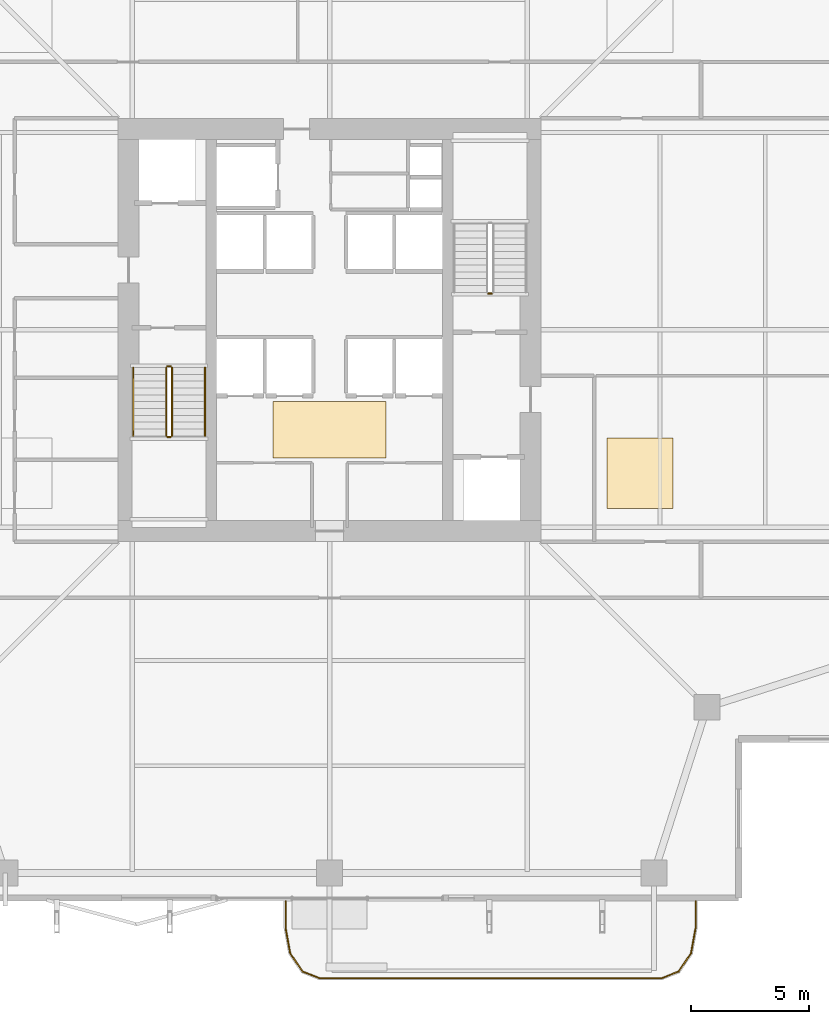
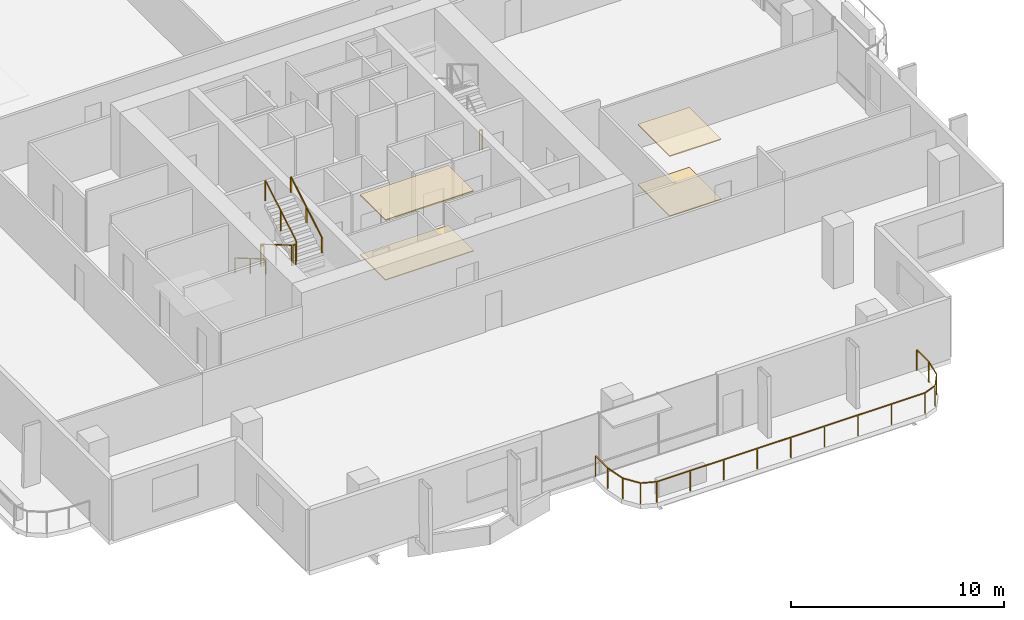
# One storey, part 23 of 25: 8 railings, 4 coverings.
"""IFC4 building model written with IfcOpenShell, lengths in metres."""

from ifc_helpers import new_model, si_unit, direction, frame, origin, origin_2d, place, context, subcontext, project, spatial, polyline, rectangle, outline, extrude, material, layer, layer_set, type_object, element, save


model = new_model("IFC4")

# Units and contexts
model_context = context("Model", 3, precision=1e-05, world=origin(), true_north=direction((0.0, 1.0)))
body_context = subcontext(model_context, "Body", "Model", "MODEL_VIEW")
ifc_project = project(units=[si_unit("LENGTHUNIT", "METRE"), si_unit("AREAUNIT", "SQUARE_METRE"), si_unit("VOLUMEUNIT", "CUBIC_METRE"), si_unit("PLANEANGLEUNIT", "RADIAN"), si_unit("MASSUNIT", "GRAM", prefix="KILO")], contexts=[model_context])

# Site, building, storey
site_placement = place(None, origin())
site = spatial("IfcSite", under=ifc_project, at=site_placement, CompositionType="ELEMENT")
building_placement = place(site_placement, origin())
building = spatial("IfcBuilding", under=site, at=building_placement, Name="Belovzor Exchange Tower", CompositionType="ELEMENT")
storey_placement = place(building_placement, frame((0.0, 0.0, 175.800048828125)))
storey = spatial("IfcBuildingStorey", under=building, at=storey_placement, Name="L43", CompositionType="ELEMENT", Elevation=175.800048828125)

# Railings
ifc_material_1 = material(Name="Stainless Steel Grade 304", Category="steel")
railing_type_1 = type_object("IfcRailingType", Name="Brushed Stainless Steel Stair Handrail 900", PredefinedType="HANDRAIL", material=ifc_material_1)
railing_1_placement = place(storey_placement, frame((20.449951171875, 27.199951171875, 0.17041015625)))
element("IfcRailing", 1, at=railing_1_placement, inside=storey, type_object=railing_type_1, Name="L43 ST-1 stair handrail 1", PredefinedType="HANDRAIL", context=body_context, shape_type="SweptSolid", body=[
    extrude(rectangle(XDim=0.048095703125, YDim=0.048095703125, at=origin_2d()), frame((0.0, 0.0, 0.8759765625), z_axis=(0.0, -0.86209462966, 0.506747323142), x_axis=(1.0, 0.0, 0.0)), (0.0, 0.0, 1.0), 3.36376953125),
    extrude(rectangle(XDim=0.0419921875, YDim=0.0419921875, at=origin_2d()), origin(), (0.0, 0.0, 1.0), 0.851806640625),
    extrude(rectangle(XDim=0.0419921875, YDim=0.0419921875, at=origin_2d()), frame((0.0, -1.449951171875, 0.852294921875)), (0.0, 0.0, 1.0), 0.851806640625),
    extrude(rectangle(XDim=0.0419921875, YDim=0.0419921875, at=origin_2d()), frame((0.0, -2.89990234375, 1.70458984375)), (0.0, 0.0, 1.0), 0.851806640625),
])
railing_2_placement = place(storey_placement, frame((23.5, 24.300048828125, 2.04541015625)))
element("IfcRailing", 2, at=railing_2_placement, inside=storey, type_object=railing_type_1, Name="L43 ST-1 stair handrail 2", PredefinedType="HANDRAIL", context=body_context, shape_type="SweptSolid", body=[
    extrude(rectangle(XDim=0.048095703125, YDim=0.048095703125, at=origin_2d()), frame((0.0, 0.0, 0.8759765625), z_axis=(0.0, 0.86209462966, 0.506747323142), x_axis=(-1.0, 0.0, 0.0)), (0.0, 0.0, 1.0), 3.36376953125),
    extrude(rectangle(XDim=0.0419921875, YDim=0.0419921875, at=origin_2d()), origin(), (0.0, 0.0, 1.0), 0.851806640625),
    extrude(rectangle(XDim=0.0419921875, YDim=0.0419921875, at=origin_2d()), frame((0.0, 1.449951171875, 0.852294921875)), (0.0, 0.0, 1.0), 0.851806640625),
    extrude(rectangle(XDim=0.0419921875, YDim=0.0419921875, at=origin_2d()), frame((0.0, 2.89990234375, 1.70458984375)), (0.0, 0.0, 1.0), 0.851806640625),
])
ifc_material_2 = material(Name="Stainless Steel and Laminated Safety Glass", Category="steel")
railing_type_2 = type_object("IfcRailingType", Name="Laminated Glass & Stainless Steel Balcony Balustrade 1200", PredefinedType="BALUSTRADE", material=ifc_material_2)
railing_3_placement = place(storey_placement, frame((26.929931640625, 4.489990234375, 0.0)))
element("IfcRailing", 3, at=railing_3_placement, inside=storey, type_object=railing_type_2, Name="GR-1 Balcony Balustrade L43 South", PredefinedType="BALUSTRADE", context=body_context, shape_type="SweptSolid", body=[
    extrude(rectangle(XDim=0.048095703125, YDim=0.048095703125, at=origin_2d()), frame((0.0, 0.0, 1.17578125), z_axis=(0.0, -1.0, 0.0), x_axis=(1.0, 0.0, 0.0)), (0.0, 0.0, 1.0), 1.133056640625),
    extrude(rectangle(XDim=0.048095703125, YDim=0.048095703125, at=origin_2d()), frame((0.0, -1.133056640625, 1.17578125), z_axis=(0.180122719713, -0.983644145941, 0.0), x_axis=(0.983644145941, 0.180122719713, 0.0)), (0.0, 0.0, 1.0), 1.09375),
    extrude(rectangle(XDim=0.048095703125, YDim=0.048095703125, at=origin_2d()), frame((0.197021484375, -2.208984375, 1.17578125), z_axis=(0.56294695933, -0.826493025367, 0.0), x_axis=(0.826493025367, 0.56294695933, 0.0)), (0.0, 0.0, 1.0), 0.932861328125),
    extrude(rectangle(XDim=0.048095703125, YDim=0.048095703125, at=origin_2d()), frame((0.72216796875, -2.97998046875, 1.17578125), z_axis=(0.930766990125, -0.365612923861, 0.0), x_axis=(0.365612923861, 0.930766990125, 0.0)), (0.0, 0.0, 1.0), 0.765869140625),
    extrude(rectangle(XDim=0.048095703125, YDim=0.048095703125, at=origin_2d()), frame((1.43505859375, -3.260009765625, 1.17578125), z_axis=(1.0, 0.0, 0.0), x_axis=(0.0, 1.0, 0.0)), (0.0, 0.0, 1.0), 14.570068359375),
    extrude(rectangle(XDim=0.048095703125, YDim=0.048095703125, at=origin_2d()), frame((16.005126953125, -3.260009765625, 1.17578125), z_axis=(0.930766990125, 0.365612923861, 0.0), x_axis=(-0.365612923861, 0.930766990125, 0.0)), (0.0, 0.0, 1.0), 0.765869140625),
    extrude(rectangle(XDim=0.048095703125, YDim=0.048095703125, at=origin_2d()), frame((16.718017578125, -2.97998046875, 1.17578125), z_axis=(0.56294695933, 0.826493025367, 0.0), x_axis=(-0.826493025367, 0.56294695933, 0.0)), (0.0, 0.0, 1.0), 0.932861328125),
    extrude(rectangle(XDim=0.048095703125, YDim=0.048095703125, at=origin_2d()), frame((17.2431640625, -2.208984375, 1.17578125), z_axis=(0.180122719713, 0.983644145941, 0.0), x_axis=(-0.983644145941, 0.180122719713, 0.0)), (0.0, 0.0, 1.0), 1.09375),
    extrude(rectangle(XDim=0.048095703125, YDim=0.048095703125, at=origin_2d()), frame((17.440185546875, -1.133056640625, 1.17578125), z_axis=(0.0, 1.0, 0.0), x_axis=(-1.0, 0.0, 0.0)), (0.0, 0.0, 1.0), 1.133056640625),
    extrude(rectangle(XDim=0.0419921875, YDim=0.0419921875, at=origin_2d()), origin(), (0.0, 0.0, 1.0), 1.15185546875),
    extrude(rectangle(XDim=0.0419921875, YDim=0.0419921875, at=origin_2d()), frame((0.0, -1.133056640625, 0.0)), (0.0, 0.0, 1.0), 1.15185546875),
    extrude(rectangle(XDim=0.0419921875, YDim=0.0419921875, at=origin_2d()), frame((0.197021484375, -2.208984375, 0.0)), (0.0, 0.0, 1.0), 1.15185546875),
    extrude(rectangle(XDim=0.0419921875, YDim=0.0419921875, at=origin_2d()), frame((0.72216796875, -2.97998046875, 0.0)), (0.0, 0.0, 1.0), 1.15185546875),
    extrude(rectangle(XDim=0.0419921875, YDim=0.0419921875, at=origin_2d()), frame((1.43505859375, -3.260009765625, 0.0)), (0.0, 0.0, 1.0), 1.15185546875),
    extrude(rectangle(XDim=0.0419921875, YDim=0.0419921875, at=origin_2d()), frame((3.25634765625, -3.260009765625, 0.0)), (0.0, 0.0, 1.0), 1.15185546875),
    extrude(rectangle(XDim=0.0419921875, YDim=0.0419921875, at=origin_2d()), frame((5.07763671875, -3.260009765625, 0.0)), (0.0, 0.0, 1.0), 1.15185546875),
    extrude(rectangle(XDim=0.0419921875, YDim=0.0419921875, at=origin_2d()), frame((6.89892578125, -3.260009765625, 0.0)), (0.0, 0.0, 1.0), 1.15185546875),
    extrude(rectangle(XDim=0.0419921875, YDim=0.0419921875, at=origin_2d()), frame((8.72021484375, -3.260009765625, 0.0)), (0.0, 0.0, 1.0), 1.15185546875),
    extrude(rectangle(XDim=0.0419921875, YDim=0.0419921875, at=origin_2d()), frame((10.541259765625, -3.260009765625, 0.0)), (0.0, 0.0, 1.0), 1.15185546875),
    extrude(rectangle(XDim=0.0419921875, YDim=0.0419921875, at=origin_2d()), frame((12.362548828125, -3.260009765625, 0.0)), (0.0, 0.0, 1.0), 1.15185546875),
    extrude(rectangle(XDim=0.0419921875, YDim=0.0419921875, at=origin_2d()), frame((14.183837890625, -3.260009765625, 0.0)), (0.0, 0.0, 1.0), 1.15185546875),
    extrude(rectangle(XDim=0.0419921875, YDim=0.0419921875, at=origin_2d()), frame((16.005126953125, -3.260009765625, 0.0)), (0.0, 0.0, 1.0), 1.15185546875),
    extrude(rectangle(XDim=0.0419921875, YDim=0.0419921875, at=origin_2d()), frame((16.718017578125, -2.97998046875, 0.0)), (0.0, 0.0, 1.0), 1.15185546875),
    extrude(rectangle(XDim=0.0419921875, YDim=0.0419921875, at=origin_2d()), frame((17.2431640625, -2.208984375, 0.0)), (0.0, 0.0, 1.0), 1.15185546875),
    extrude(rectangle(XDim=0.0419921875, YDim=0.0419921875, at=origin_2d()), frame((17.440185546875, -1.133056640625, 0.0)), (0.0, 0.0, 1.0), 1.15185546875),
    extrude(rectangle(XDim=0.0419921875, YDim=0.0419921875, at=origin_2d()), frame((17.440185546875, 0.0, 0.0)), (0.0, 0.0, 1.0), 1.15185546875),
])
ifc_material_3 = material(Name="Steel S355", Category="steel")
railing_type_3 = type_object("IfcRailingType", Name="Painted Steel Stairwell Guardrail 1200", PredefinedType="GUARDRAIL", material=ifc_material_3)
railing_4_placement = place(storey_placement, frame((21.85009765625, 27.199951171875, 0.17041015625)))
element("IfcRailing", 4, at=railing_4_placement, inside=storey, type_object=railing_type_3, Name="L43 ST-1 stair guard 1", PredefinedType="GUARDRAIL", context=body_context, shape_type="SweptSolid", body=[
    extrude(rectangle(XDim=0.048095703125, YDim=0.048095703125, at=origin_2d()), frame((0.0, 0.0, 1.17578125), z_axis=(0.0, -0.86209462966, 0.506747323142), x_axis=(1.0, 0.0, 0.0)), (0.0, 0.0, 1.0), 3.36376953125),
    extrude(rectangle(XDim=0.0419921875, YDim=0.0419921875, at=origin_2d()), origin(), (0.0, 0.0, 1.0), 1.15185546875),
    extrude(rectangle(XDim=0.0419921875, YDim=0.0419921875, at=origin_2d()), frame((0.0, -1.449951171875, 0.852294921875)), (0.0, 0.0, 1.0), 1.15185546875),
    extrude(rectangle(XDim=0.0419921875, YDim=0.0419921875, at=origin_2d()), frame((0.0, -2.89990234375, 1.70458984375)), (0.0, 0.0, 1.0), 1.15185546875),
])
railing_5_placement = place(storey_placement, frame((21.89990234375, 24.25, 1.875)))
element("IfcRailing", 5, at=railing_5_placement, inside=storey, type_object=railing_type_3, Name="L43 ST-1 stair guard 2", PredefinedType="GUARDRAIL", context=body_context, shape_type="SweptSolid", body=[
    extrude(rectangle(XDim=0.048095703125, YDim=0.048095703125, at=origin_2d()), frame((0.0, 0.0, 1.17578125), z_axis=(1.0, 0.0, 0.0), x_axis=(0.0, 1.0, 0.0)), (0.0, 0.0, 1.0), 0.150146484375),
    extrude(rectangle(XDim=0.0419921875, YDim=0.0419921875, at=origin_2d()), origin(), (0.0, 0.0, 1.0), 1.15185546875),
    extrude(rectangle(XDim=0.0419921875, YDim=0.0419921875, at=origin_2d()), frame((0.150146484375, 0.0, 0.0)), (0.0, 0.0, 1.0), 1.15185546875),
])
railing_6_placement = place(storey_placement, frame((22.10009765625, 24.300048828125, 2.04541015625)))
element("IfcRailing", 6, at=railing_6_placement, inside=storey, type_object=railing_type_3, Name="L43 ST-1 stair guard 3", PredefinedType="GUARDRAIL", context=body_context, shape_type="SweptSolid", body=[
    extrude(rectangle(XDim=0.048095703125, YDim=0.048095703125, at=origin_2d()), frame((0.0, 0.0, 1.17578125), z_axis=(0.0, 0.86209462966, 0.506747323142), x_axis=(-1.0, 0.0, 0.0)), (0.0, 0.0, 1.0), 3.36376953125),
    extrude(rectangle(XDim=0.0419921875, YDim=0.0419921875, at=origin_2d()), origin(), (0.0, 0.0, 1.0), 1.15185546875),
    extrude(rectangle(XDim=0.0419921875, YDim=0.0419921875, at=origin_2d()), frame((0.0, 1.449951171875, 0.852294921875)), (0.0, 0.0, 1.0), 1.15185546875),
    extrude(rectangle(XDim=0.0419921875, YDim=0.0419921875, at=origin_2d()), frame((0.0, 2.89990234375, 1.70458984375)), (0.0, 0.0, 1.0), 1.15185546875),
])
railing_7_placement = place(storey_placement, frame((21.89990234375, 27.25, 0.0)))
element("IfcRailing", 7, at=railing_7_placement, inside=storey, type_object=railing_type_3, Name="L43 ST-1 stair guard 4", PredefinedType="GUARDRAIL", context=body_context, shape_type="SweptSolid", body=[
    extrude(rectangle(XDim=0.048095703125, YDim=0.048095703125, at=origin_2d()), frame((0.0, 0.0, 1.17578125), z_axis=(1.0, 0.0, 0.0), x_axis=(0.0, 1.0, 0.0)), (0.0, 0.0, 1.0), 0.150146484375),
    extrude(rectangle(XDim=0.0419921875, YDim=0.0419921875, at=origin_2d()), origin(), (0.0, 0.0, 1.0), 1.15185546875),
    extrude(rectangle(XDim=0.0419921875, YDim=0.0419921875, at=origin_2d()), frame((0.150146484375, 0.0, 0.0)), (0.0, 0.0, 1.0), 1.15185546875),
])
railing_8_placement = place(storey_placement, frame((35.699951171875, 30.35009765625, 0.0)))
element("IfcRailing", 8, at=railing_8_placement, inside=storey, type_object=railing_type_3, Name="L43 ST-2 stair guard 4", PredefinedType="GUARDRAIL", context=body_context, shape_type="SweptSolid", body=[
    extrude(rectangle(XDim=0.048095703125, YDim=0.048095703125, at=origin_2d()), frame((0.0, 0.0, 1.17578125), z_axis=(-1.0, 0.0, 0.0), x_axis=(0.0, -1.0, 0.0)), (0.0, 0.0, 1.0), 0.14990234375),
    extrude(rectangle(XDim=0.0419921875, YDim=0.0419921875, at=origin_2d()), origin(), (0.0, 0.0, 1.0), 1.15185546875),
    extrude(rectangle(XDim=0.0419921875, YDim=0.0419921875, at=origin_2d()), frame((-0.14990234375, 0.0, 0.0)), (0.0, 0.0, 1.0), 1.15185546875),
])

# Coverings
ifc_material_4 = material(Name="Perforated Powder-Coated Aluminium", Category="aluminium")
ifc_layer_1 = layer(ifc_material_4, 0.06005859375)
ifc_layer_set_1 = layer_set([ifc_layer_1], Name="Perforated Powder-Coated Aluminium")
covering_type_1 = type_object("IfcCoveringType", Name="Perforated Acoustic Metal Tile Suspended Ceiling 60", PredefinedType="CEILING", material=ifc_layer_set_1)
covering_1_placement = place(storey_placement, frame((0.0, 0.0, 3.43505859375)))
element("IfcCovering", 9, at=covering_1_placement, inside=storey, type_object=covering_type_1, Name="CLG-AC60 Suspended Ceiling CLG-L43-LOB", PredefinedType="CEILING", context=body_context, shape_type="SweptSolid", body=[
    extrude(outline(polyline([(26.39990234375, 23.35009765625), (31.199951171875, 23.35009765625), (31.199951171875, 25.75), (26.39990234375, 25.75), (26.39990234375, 23.35009765625)])), origin(), (0.0, 0.0, 1.0), 0.059814453125),
])
covering_2_placement = place(storey_placement, frame((0.0, 0.0, 3.43505859375)))
element("IfcCovering", 10, at=covering_2_placement, inside=storey, type_object=covering_type_1, Name="CLG-AC60 Suspended Ceiling CLG-L43-Z0", PredefinedType="CEILING", context=body_context, shape_type="SweptSolid", body=[
    extrude(outline(polyline([(40.60009765625, 21.199951171875), (43.39990234375, 21.199951171875), (43.39990234375, 24.199951171875), (40.60009765625, 24.199951171875), (40.60009765625, 21.199951171875)])), origin(), (0.0, 0.0, 1.0), 0.059814453125),
])
ifc_material_5 = material(Name="Polished Natural Granite Tile", Category="masonry")
ifc_layer_2 = layer(ifc_material_5, 0.050048828125)
ifc_layer_set_2 = layer_set([ifc_layer_2], Name="Polished Natural Granite Tile")
covering_type_2 = type_object("IfcCoveringType", Name="Polished Karelian Granite & Raised Access Floor Finish 50", PredefinedType="FLOORING", material=ifc_layer_set_2)
covering_3_placement = place(storey_placement, origin())
element("IfcCovering", 11, at=covering_3_placement, inside=storey, type_object=covering_type_2, Name="FLR-GR50 Floor Finish FLR-L43-LOB", PredefinedType="FLOORING", context=body_context, shape_type="SweptSolid", body=[
    extrude(outline(polyline([(26.39990234375, 23.35009765625), (31.199951171875, 23.35009765625), (31.199951171875, 25.75), (26.39990234375, 25.75), (26.39990234375, 23.35009765625)])), origin(), (0.0, 0.0, 1.0), 0.050048828125),
])
covering_4_placement = place(storey_placement, origin())
element("IfcCovering", 12, at=covering_4_placement, inside=storey, type_object=covering_type_2, Name="FLR-GR50 Floor Finish FLR-L43-Z0", PredefinedType="FLOORING", context=body_context, shape_type="SweptSolid", body=[
    extrude(outline(polyline([(40.60009765625, 21.199951171875), (43.39990234375, 21.199951171875), (43.39990234375, 24.199951171875), (40.60009765625, 24.199951171875), (40.60009765625, 21.199951171875)])), origin(), (0.0, 0.0, 1.0), 0.050048828125),
])

save(model, "model.ifc")
